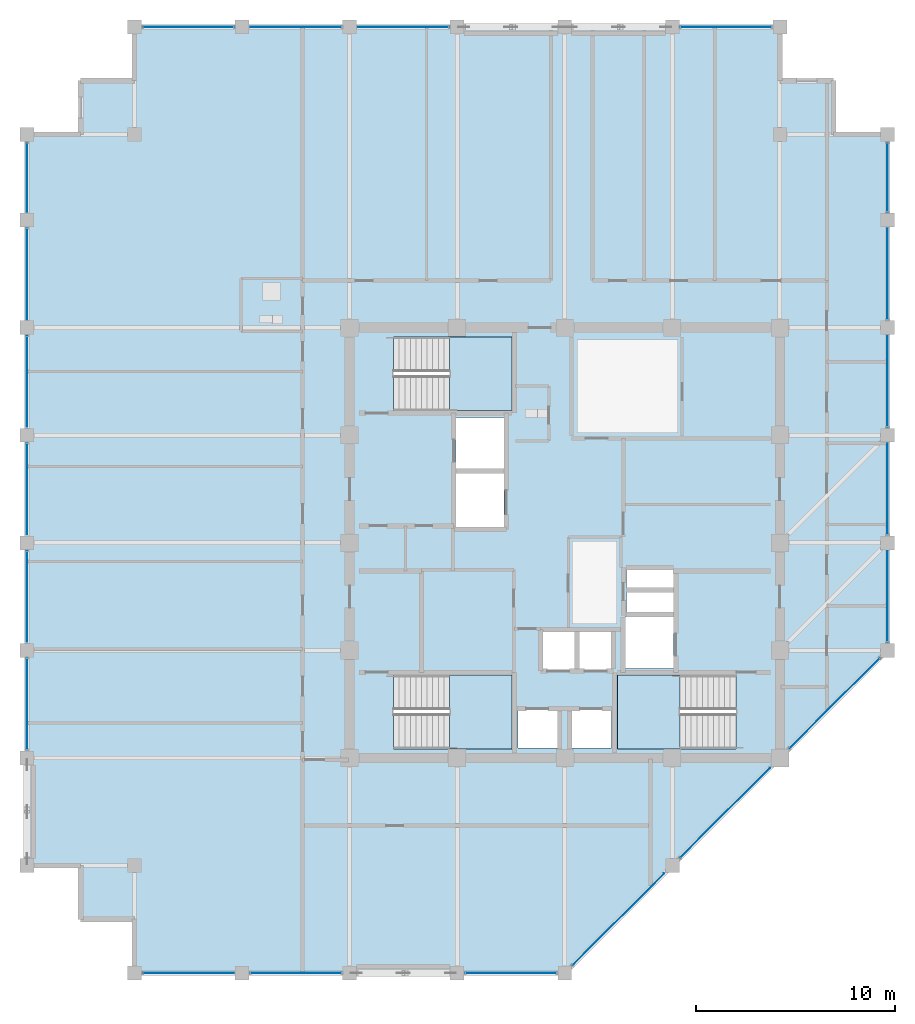
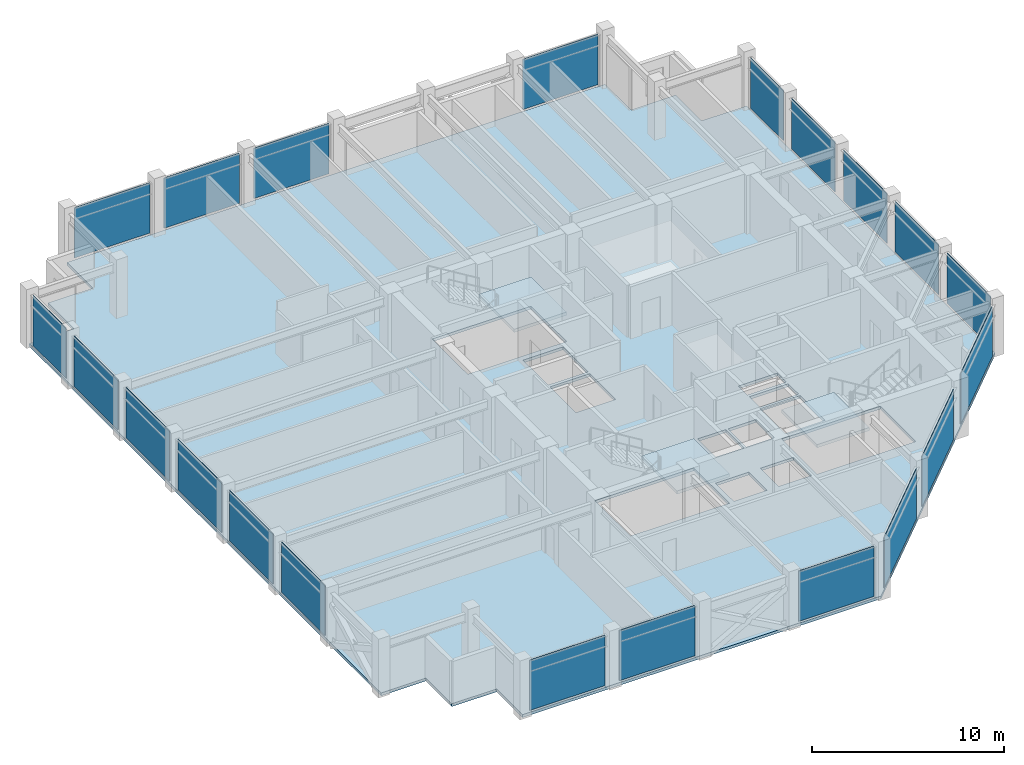
# One storey, part 23 of 31: 21 plates, 4 slabs, 10 elements without a shape of their own.
"""IFC4 building model written with IfcOpenShell, lengths in metres."""

from ifc_helpers import new_model, si_unit, direction, frame, frame_2d, origin, place, context, subcontext, project, spatial, polyline, rectangle, outline, extrude, material, layer, layer_set, type_object, element, aggregate, save


model = new_model("IFC4")

# Units and contexts
model_context = context("Model", 3, precision=1e-05, world=origin(), true_north=direction((0.0, 1.0)))
body_context = subcontext(model_context, "Body", "Model", "MODEL_VIEW")
ifc_project = project(units=[si_unit("LENGTHUNIT", "METRE"), si_unit("AREAUNIT", "SQUARE_METRE"), si_unit("VOLUMEUNIT", "CUBIC_METRE"), si_unit("PLANEANGLEUNIT", "RADIAN"), si_unit("MASSUNIT", "GRAM", prefix="KILO")], contexts=[model_context])

# Site, building, storey
site_placement = place(None, origin())
site = spatial("IfcSite", under=ifc_project, at=site_placement, CompositionType="ELEMENT")
building_placement = place(site_placement, origin())
building = spatial("IfcBuilding", under=site, at=building_placement, Name="Surkhivell Harbour Commons", CompositionType="ELEMENT")
storey_placement = place(building_placement, frame((0.0, 0.0, 333.75)))
storey = spatial("IfcBuildingStorey", under=building, at=storey_placement, Name="L87", CompositionType="ELEMENT", Elevation=333.75)

# Curtain wall, plates
ifc_material_1 = material(Name="Anodised pale-metal aluminium and insulated glazing", Category="aluminium")
ifc_layer_1 = layer(ifc_material_1, 0.175048828125)
ifc_layer_set_1 = layer_set([ifc_layer_1], Name="Anodised pale-metal aluminium and insulated glazing")
curtain_wall_type = type_object("IfcCurtainWallType", Name="CW-SYS-Z4", PredefinedType="NOTDEFINED", material=ifc_layer_set_1)
curtain_wall_1_placement = place(storey_placement, origin())
curtain_wall_1 = element("IfcCurtainWall", 1, at=curtain_wall_1_placement, inside=storey, type_object=curtain_wall_type, Name="L87 Curtain Wall CW-L87-E00S1", PredefinedType="NOTDEFINED")
ifc_material_2 = material(Name="Double-silver low-E laminated vision glass", Category="glass")
ifc_layer_2 = layer(ifc_material_2, 0.031982421875)
ifc_layer_set_2 = layer_set([ifc_layer_2], Name="Double-silver low-E laminated vision glass")
plate_type = type_object("IfcPlateType", Name="CWP-GLZ-32", PredefinedType="CURTAIN_PANEL", material=ifc_layer_set_2)
plate_1_placement = place(storey_placement, frame((-21.173095703125, -21.60009765625, 0.1298828125), z_axis=(0.0, 0.0, 1.0), x_axis=(1.0, 0.0, 0.0)))
plate_1 = element("IfcPlate", 2, at=plate_1_placement, type_object=plate_type, Name="CW-Z4 panel 1.1", PredefinedType="CURTAIN_PANEL", context=body_context, shape_type="SweptSolid", body=[
    extrude(rectangle(XDim=4.546142578125, YDim=0.031982421875, at=frame_2d((2.27294921875, 0.0))), origin(), (0.0, 0.0, 1.0), 3.2001953125),
])
plate_2_placement = place(storey_placement, frame((-15.77294921875, -21.60009765625, 0.1298828125), z_axis=(0.0, 0.0, 1.0), x_axis=(1.0, 0.0, 0.0)))
plate_2 = element("IfcPlate", 3, at=plate_2_placement, type_object=plate_type, Name="CW-Z4 panel 2.1", PredefinedType="CURTAIN_PANEL", context=body_context, shape_type="SweptSolid", body=[
    extrude(rectangle(XDim=4.5458984375, YDim=0.031982421875, at=frame_2d((2.27294921875, 0.0))), origin(), (0.0, 0.0, 1.0), 3.2001953125),
])
aggregate(curtain_wall_1, [plate_1, plate_2])

# Curtain wall, plate
curtain_wall_2_placement = place(storey_placement, origin())
curtain_wall_2 = element("IfcCurtainWall", 4, at=curtain_wall_2_placement, inside=storey, type_object=curtain_wall_type, Name="L87 Curtain Wall CW-L87-E00S2", PredefinedType="NOTDEFINED")
plate_3_placement = place(storey_placement, frame((-4.972900390625, -21.60009765625, 0.1298828125), z_axis=(0.0, 0.0, 1.0), x_axis=(1.0, 0.0, 0.0)))
plate_3 = element("IfcPlate", 5, at=plate_3_placement, type_object=plate_type, Name="CW-Z4 panel 1.1", PredefinedType="CURTAIN_PANEL", context=body_context, shape_type="SweptSolid", body=[
    extrude(rectangle(XDim=4.5458984375, YDim=0.031982421875, at=frame_2d((2.27294921875, 0.0))), origin(), (0.0, 0.0, 1.0), 3.2001953125),
])
aggregate(curtain_wall_2, [plate_3])

# Curtain wall, plates
curtain_wall_3_placement = place(storey_placement, origin())
curtain_wall_3 = element("IfcCurtainWall", 6, at=curtain_wall_3_placement, inside=storey, type_object=curtain_wall_type, Name="L87 Curtain Wall CW-L87-E01", PredefinedType="NOTDEFINED")
plate_4_placement = place(storey_placement, frame((0.404541015625, -21.1953125, 0.1298828125), z_axis=(0.0, 0.0, 1.0), x_axis=(0.707125583467, 0.707087978406, 0.0)))
plate_4 = element("IfcPlate", 7, at=plate_4_placement, type_object=plate_type, Name="CW-Z4 panel 1.1", PredefinedType="CURTAIN_PANEL", context=body_context, shape_type="SweptSolid", body=[
    extrude(rectangle(XDim=6.4921875, YDim=0.031982421875, at=frame_2d((3.24609375, 0.0))), origin(), (0.0, 0.0, 1.0), 3.2001953125),
])
plate_5_placement = place(storey_placement, frame((5.8046875, -15.79541015625, 0.1298828125), z_axis=(0.0, 0.0, 1.0), x_axis=(0.707106781187, 0.707106781187, 0.0)))
plate_5 = element("IfcPlate", 8, at=plate_5_placement, type_object=plate_type, Name="CW-Z4 panel 2.1", PredefinedType="CURTAIN_PANEL", context=body_context, shape_type="SweptSolid", body=[
    extrude(rectangle(XDim=6.350830078125, YDim=0.031982421875, at=frame_2d((3.17529296875, 0.0))), origin(), (0.0, 0.0, 1.0), 3.2001953125),
])
plate_6_placement = place(storey_placement, frame((11.3046875, -10.29541015625, 0.1298828125), z_axis=(0.0, 0.0, 1.0), x_axis=(0.707106781187, 0.707106781187, 0.0)))
plate_6 = element("IfcPlate", 9, at=plate_6_placement, type_object=plate_type, Name="CW-Z4 panel 3.1", PredefinedType="CURTAIN_PANEL", context=body_context, shape_type="SweptSolid", body=[
    extrude(rectangle(XDim=6.350830078125, YDim=0.031982421875, at=frame_2d((3.17529296875, 0.0))), origin(), (0.0, 0.0, 1.0), 3.2001953125),
])
aggregate(curtain_wall_3, [plate_4, plate_5, plate_6])

curtain_wall_4_placement = place(storey_placement, origin())
curtain_wall_4 = element("IfcCurtainWall", 10, at=curtain_wall_4_placement, inside=storey, type_object=curtain_wall_type, Name="L87 Curtain Wall CW-L87-E02", PredefinedType="NOTDEFINED")
plate_7_placement = place(storey_placement, frame((16.199951171875, -4.972900390625, 0.1298828125), z_axis=(0.0, 0.0, 1.0), x_axis=(0.0, 1.0, 0.0)))
plate_7 = element("IfcPlate", 11, at=plate_7_placement, type_object=plate_type, Name="CW-Z4 panel 1.1", PredefinedType="CURTAIN_PANEL", context=body_context, shape_type="SweptSolid", body=[
    extrude(rectangle(XDim=4.5458984375, YDim=0.031982421875, at=frame_2d((2.27294921875, 0.0))), origin(), (0.0, 0.0, 1.0), 3.2001953125),
])
plate_8_placement = place(storey_placement, frame((16.199951171875, 0.427001953125, 0.1298828125), z_axis=(0.0, 0.0, 1.0), x_axis=(0.0, 1.0, 0.0)))
plate_8 = element("IfcPlate", 12, at=plate_8_placement, type_object=plate_type, Name="CW-Z4 panel 2.1", PredefinedType="CURTAIN_PANEL", context=body_context, shape_type="SweptSolid", body=[
    extrude(rectangle(XDim=4.5458984375, YDim=0.031982421875, at=frame_2d((2.27294921875, 0.0))), origin(), (0.0, 0.0, 1.0), 3.2001953125),
])
plate_9_placement = place(storey_placement, frame((16.199951171875, 5.826904296875, 0.1298828125), z_axis=(0.0, 0.0, 1.0), x_axis=(0.0, 1.0, 0.0)))
plate_9 = element("IfcPlate", 13, at=plate_9_placement, type_object=plate_type, Name="CW-Z4 panel 3.1", PredefinedType="CURTAIN_PANEL", context=body_context, shape_type="SweptSolid", body=[
    extrude(rectangle(XDim=4.546142578125, YDim=0.031982421875, at=frame_2d((2.27294921875, 0.0))), origin(), (0.0, 0.0, 1.0), 3.2001953125),
])
plate_10_placement = place(storey_placement, frame((16.199951171875, 11.22705078125, 0.1298828125), z_axis=(0.0, 0.0, 1.0), x_axis=(0.0, 1.0, 0.0)))
plate_10 = element("IfcPlate", 14, at=plate_10_placement, type_object=plate_type, Name="CW-Z4 panel 4.1", PredefinedType="CURTAIN_PANEL", context=body_context, shape_type="SweptSolid", body=[
    extrude(rectangle(XDim=4.5458984375, YDim=0.031982421875, at=frame_2d((2.27294921875, 0.0))), origin(), (0.0, 0.0, 1.0), 3.2001953125),
])
plate_11_placement = place(storey_placement, frame((16.199951171875, 16.626953125, 0.1298828125), z_axis=(0.0, 0.0, 1.0), x_axis=(0.0, 1.0, 0.0)))
plate_11 = element("IfcPlate", 15, at=plate_11_placement, type_object=plate_type, Name="CW-Z4 panel 5.1", PredefinedType="CURTAIN_PANEL", context=body_context, shape_type="SweptSolid", body=[
    extrude(rectangle(XDim=3.446044921875, YDim=0.031982421875, at=frame_2d((1.72314453125, 0.0))), origin(), (0.0, 0.0, 1.0), 3.2001953125),
])
aggregate(curtain_wall_4, [plate_7, plate_8, plate_9, plate_10, plate_11])

# Curtain wall, plate
curtain_wall_5_placement = place(storey_placement, origin())
curtain_wall_5 = element("IfcCurtainWall", 16, at=curtain_wall_5_placement, inside=storey, type_object=curtain_wall_type, Name="L87 Curtain Wall CW-L87-E07S1", PredefinedType="NOTDEFINED")
plate_12_placement = place(storey_placement, frame((10.373046875, 25.89990234375, 0.1298828125), z_axis=(0.0, 0.0, 1.0), x_axis=(-1.0, 0.0, 0.0)))
plate_12 = element("IfcPlate", 17, at=plate_12_placement, type_object=plate_type, Name="CW-Z4 panel 1.1", PredefinedType="CURTAIN_PANEL", context=body_context, shape_type="SweptSolid", body=[
    extrude(rectangle(XDim=4.546142578125, YDim=0.031982421875, at=frame_2d((2.27294921875, 0.0))), origin(), (0.0, 0.0, 1.0), 3.2001953125),
])
aggregate(curtain_wall_5, [plate_12])

# Curtain wall, plates
curtain_wall_6_placement = place(storey_placement, origin())
curtain_wall_6 = element("IfcCurtainWall", 18, at=curtain_wall_6_placement, inside=storey, type_object=curtain_wall_type, Name="L87 Curtain Wall CW-L87-E07S2", PredefinedType="NOTDEFINED")
plate_13_placement = place(storey_placement, frame((-5.826904296875, 25.89990234375, 0.1298828125), z_axis=(0.0, 0.0, 1.0), x_axis=(-1.0, 0.0, 0.0)))
plate_13 = element("IfcPlate", 19, at=plate_13_placement, type_object=plate_type, Name="CW-Z4 panel 1.1", PredefinedType="CURTAIN_PANEL", context=body_context, shape_type="SweptSolid", body=[
    extrude(rectangle(XDim=4.546142578125, YDim=0.031982421875, at=frame_2d((2.27294921875, 0.0))), origin(), (0.0, 0.0, 1.0), 3.2001953125),
])
plate_14_placement = place(storey_placement, frame((-11.22705078125, 25.89990234375, 0.1298828125), z_axis=(0.0, 0.0, 1.0), x_axis=(-1.0, 0.0, 0.0)))
plate_14 = element("IfcPlate", 20, at=plate_14_placement, type_object=plate_type, Name="CW-Z4 panel 2.1", PredefinedType="CURTAIN_PANEL", context=body_context, shape_type="SweptSolid", body=[
    extrude(rectangle(XDim=4.5458984375, YDim=0.031982421875, at=frame_2d((2.27294921875, 0.0))), origin(), (0.0, 0.0, 1.0), 3.2001953125),
])
plate_15_placement = place(storey_placement, frame((-16.626953125, 25.89990234375, 0.1298828125), z_axis=(0.0, 0.0, 1.0), x_axis=(-1.0, 0.0, 0.0)))
plate_15 = element("IfcPlate", 21, at=plate_15_placement, type_object=plate_type, Name="CW-Z4 panel 3.1", PredefinedType="CURTAIN_PANEL", context=body_context, shape_type="SweptSolid", body=[
    extrude(rectangle(XDim=4.546142578125, YDim=0.031982421875, at=frame_2d((2.27294921875, 0.0))), origin(), (0.0, 0.0, 1.0), 3.2001953125),
])
aggregate(curtain_wall_6, [plate_13, plate_14, plate_15])

curtain_wall_7_placement = place(storey_placement, origin())
curtain_wall_7 = element("IfcCurtainWall", 22, at=curtain_wall_7_placement, inside=storey, type_object=curtain_wall_type, Name="L87 Curtain Wall CW-L87-E12S1", PredefinedType="NOTDEFINED")
plate_16_placement = place(storey_placement, frame((-27.0, 20.072998046875, 0.1298828125), z_axis=(0.0, 0.0, 1.0), x_axis=(0.0, -1.0, 0.0)))
plate_16 = element("IfcPlate", 23, at=plate_16_placement, type_object=plate_type, Name="CW-Z4 panel 1.1", PredefinedType="CURTAIN_PANEL", context=body_context, shape_type="SweptSolid", body=[
    extrude(rectangle(XDim=3.446044921875, YDim=0.031982421875, at=frame_2d((1.72314453125, 0.0))), origin(), (0.0, 0.0, 1.0), 3.2001953125),
])
plate_17_placement = place(storey_placement, frame((-27.0, 15.77294921875, 0.1298828125), z_axis=(0.0, 0.0, 1.0), x_axis=(0.0, -1.0, 0.0)))
plate_17 = element("IfcPlate", 24, at=plate_17_placement, type_object=plate_type, Name="CW-Z4 panel 2.1", PredefinedType="CURTAIN_PANEL", context=body_context, shape_type="SweptSolid", body=[
    extrude(rectangle(XDim=4.5458984375, YDim=0.031982421875, at=frame_2d((2.27294921875, 0.0))), origin(), (0.0, 0.0, 1.0), 3.2001953125),
])
plate_18_placement = place(storey_placement, frame((-27.0, 10.373046875, 0.1298828125), z_axis=(0.0, 0.0, 1.0), x_axis=(0.0, -1.0, 0.0)))
plate_18 = element("IfcPlate", 25, at=plate_18_placement, type_object=plate_type, Name="CW-Z4 panel 3.1", PredefinedType="CURTAIN_PANEL", context=body_context, shape_type="SweptSolid", body=[
    extrude(rectangle(XDim=4.546142578125, YDim=0.031982421875, at=frame_2d((2.27294921875, 0.0))), origin(), (0.0, 0.0, 1.0), 3.2001953125),
])
plate_19_placement = place(storey_placement, frame((-27.0, 4.972900390625, 0.1298828125), z_axis=(0.0, 0.0, 1.0), x_axis=(0.0, -1.0, 0.0)))
plate_19 = element("IfcPlate", 26, at=plate_19_placement, type_object=plate_type, Name="CW-Z4 panel 4.1", PredefinedType="CURTAIN_PANEL", context=body_context, shape_type="SweptSolid", body=[
    extrude(rectangle(XDim=4.5458984375, YDim=0.031982421875, at=frame_2d((2.27294921875, 0.0))), origin(), (0.0, 0.0, 1.0), 3.2001953125),
])
plate_20_placement = place(storey_placement, frame((-27.0, -0.427001953125, 0.1298828125), z_axis=(0.0, 0.0, 1.0), x_axis=(0.0, -1.0, 0.0)))
plate_20 = element("IfcPlate", 27, at=plate_20_placement, type_object=plate_type, Name="CW-Z4 panel 5.1", PredefinedType="CURTAIN_PANEL", context=body_context, shape_type="SweptSolid", body=[
    extrude(rectangle(XDim=4.5458984375, YDim=0.031982421875, at=frame_2d((2.27294921875, 0.0))), origin(), (0.0, 0.0, 1.0), 3.2001953125),
])
plate_21_placement = place(storey_placement, frame((-27.0, -5.826904296875, 0.1298828125), z_axis=(0.0, 0.0, 1.0), x_axis=(0.0, -1.0, 0.0)))
plate_21 = element("IfcPlate", 28, at=plate_21_placement, type_object=plate_type, Name="CW-Z4 panel 6.1", PredefinedType="CURTAIN_PANEL", context=body_context, shape_type="SweptSolid", body=[
    extrude(rectangle(XDim=4.546142578125, YDim=0.031982421875, at=frame_2d((2.27294921875, 0.0))), origin(), (0.0, 0.0, 1.0), 3.2001953125),
])
aggregate(curtain_wall_7, [plate_16, plate_17, plate_18, plate_19, plate_20, plate_21])

# Stair, slab
ifc_material_3 = material(Name="Precast concrete C45/55", Category="concrete")
stair_type = type_object("IfcStairType", Name="STR-DL-375", PredefinedType="HALF_TURN_STAIR", material=ifc_material_3)
stair_1_placement = place(storey_placement, origin())
stair_1 = element("IfcStair", 29, at=stair_1_placement, inside=storey, type_object=stair_type, Name="L87 Core Exit Stair ST1", PredefinedType="HALF_TURN_STAIR")
ifc_material_4 = material(Name="Reinforced concrete C45/55", Category="concrete")
ifc_layer_3 = layer(ifc_material_4, 0.199951171875)
ifc_layer_set_3 = layer_set([ifc_layer_3], Name="Reinforced concrete C45/55")
slab_type_1 = type_object("IfcSlabType", Name="SLB-ST-LND200", PredefinedType="LANDING", material=ifc_layer_set_3)
slab_1_placement = place(storey_placement, frame((0.0, 0.0, 1.675048828125)))
slab_1 = element("IfcSlab", 30, at=slab_1_placement, type_object=slab_type_1, Name="ST1 landing 1", PredefinedType="LANDING", context=body_context, shape_type="SweptSolid", body=[
    extrude(outline(polyline([(-5.7900390625, 6.639892578125), (-2.639892578125, 6.639892578125), (-2.639892578125, 10.340087890625), (-5.7900390625, 10.340087890625), (-5.7900390625, 6.639892578125)])), origin(), (0.0, 0.0, 1.0), 0.199951171875),
])
aggregate(stair_1, [slab_1])

stair_2_placement = place(storey_placement, origin())
stair_2 = element("IfcStair", 31, at=stair_2_placement, inside=storey, type_object=stair_type, Name="L87 Core Exit Stair ST2", PredefinedType="HALF_TURN_STAIR")
slab_2_placement = place(storey_placement, frame((0.0, 0.0, 1.675048828125)))
slab_2 = element("IfcSlab", 32, at=slab_2_placement, type_object=slab_type_1, Name="ST2 landing 1", PredefinedType="LANDING", context=body_context, shape_type="SweptSolid", body=[
    extrude(outline(polyline([(5.7900390625, -6.639892578125), (2.639892578125, -6.639892578125), (2.639892578125, -10.340087890625), (5.7900390625, -10.340087890625), (5.7900390625, -6.639892578125)])), origin(), (0.0, 0.0, 1.0), 0.199951171875),
])
aggregate(stair_2, [slab_2])

stair_3_placement = place(storey_placement, origin())
stair_3 = element("IfcStair", 33, at=stair_3_placement, inside=storey, type_object=stair_type, Name="L87 Core Exit Stair ST3", PredefinedType="HALF_TURN_STAIR")
slab_3_placement = place(storey_placement, frame((0.0, 0.0, 1.675048828125)))
slab_3 = element("IfcSlab", 34, at=slab_3_placement, type_object=slab_type_1, Name="ST3 landing 1", PredefinedType="LANDING", context=body_context, shape_type="SweptSolid", body=[
    extrude(outline(polyline([(-5.7900390625, -10.340087890625), (-2.639892578125, -10.340087890625), (-2.639892578125, -6.639892578125), (-5.7900390625, -6.639892578125), (-5.7900390625, -10.340087890625)])), origin(), (0.0, 0.0, 1.0), 0.199951171875),
])
aggregate(stair_3, [slab_3])

# Slab
ifc_material_5 = material(Name="Concrete C45/55", Category="concrete")
ifc_layer_4 = layer(ifc_material_5, 0.179931640625)
ifc_layer_set_4 = layer_set([ifc_layer_4], Name="Concrete C45/55")
slab_type_2 = type_object("IfcSlabType", Name="SLB-TYP-180", PredefinedType="FLOOR", material=ifc_layer_set_4)
slab_4_placement = place(storey_placement, frame((0.0, 0.0, -0.179931640625)))
element("IfcSlab", 35, at=slab_4_placement, inside=storey, type_object=slab_type_2, Name="L87 Structural Floor Slab", PredefinedType="FLOOR", context=body_context, shape_type="SweptSolid", body=[
    extrude(outline(polyline([(-21.60009765625, -21.60009765625), (0.0, -21.60009765625), (16.199951171875, -5.39990234375), (16.199951171875, 20.5), (13.5, 20.5), (13.5, 23.199951171875), (10.800048828125, 23.199951171875), (10.800048828125, 25.89990234375), (-21.60009765625, 25.89990234375), (-21.60009765625, 23.199951171875), (-24.300048828125, 23.199951171875), (-24.300048828125, 20.5), (-27.0, 20.5), (-27.0, -16.199951171875), (-24.300048828125, -16.199951171875), (-24.300048828125, -18.89990234375), (-21.60009765625, -18.89990234375), (-21.60009765625, -21.60009765625)]), holes=[polyline([(-8.590087890625, 6.639892578125), (-2.639892578125, 6.639892578125), (-2.639892578125, 10.340087890625), (-8.590087890625, 10.340087890625), (-8.590087890625, 6.639892578125)]), polyline([(8.590087890625, -6.639892578125), (2.639892578125, -6.639892578125), (2.639892578125, -10.340087890625), (8.590087890625, -10.340087890625), (8.590087890625, -6.639892578125)]), polyline([(-8.590087890625, -10.340087890625), (-2.639892578125, -10.340087890625), (-2.639892578125, -6.639892578125), (-8.590087890625, -6.639892578125), (-8.590087890625, -10.340087890625)]), polyline([(-1.14990234375, -6.35009765625), (0.550048828125, -6.35009765625), (0.550048828125, -4.449951171875), (-1.14990234375, -4.449951171875), (-1.14990234375, -6.35009765625)]), polyline([(0.679931640625, -6.35009765625), (2.3798828125, -6.35009765625), (2.3798828125, -4.449951171875), (0.679931640625, -4.449951171875), (0.679931640625, -6.35009765625)]), polyline([(-2.35009765625, -10.300048828125), (-0.35009765625, -10.300048828125), (-0.35009765625, -8.39990234375), (-2.35009765625, -8.39990234375), (-2.35009765625, -10.300048828125)]), polyline([(0.35009765625, -10.300048828125), (2.35009765625, -10.300048828125), (2.35009765625, -8.39990234375), (0.35009765625, -8.39990234375), (0.35009765625, -10.300048828125)]), polyline([(-5.449951171875, 3.699951171875), (-3.050048828125, 3.699951171875), (-3.050048828125, 6.300048828125), (-5.449951171875, 6.300048828125), (-5.449951171875, 3.699951171875)]), polyline([(3.050048828125, -6.300048828125), (5.449951171875, -6.300048828125), (5.449951171875, -3.699951171875), (3.050048828125, -3.699951171875), (3.050048828125, -6.300048828125)]), polyline([(-5.449951171875, 0.800048828125), (-3.050048828125, 0.800048828125), (-3.050048828125, 3.5), (-5.449951171875, 3.5), (-5.449951171875, 0.800048828125)]), polyline([(3.10009765625, -3.550048828125), (5.449951171875, -3.550048828125), (5.449951171875, -2.47998046875), (3.10009765625, -2.47998046875), (3.10009765625, -3.550048828125)]), polyline([(3.10009765625, -2.280029296875), (5.449951171875, -2.280029296875), (5.449951171875, -1.35009765625), (3.10009765625, -1.35009765625), (3.10009765625, -2.280029296875)])]), origin(), (0.0, 0.0, 1.0), 0.179931640625),
])

save(model, "model.ifc")
